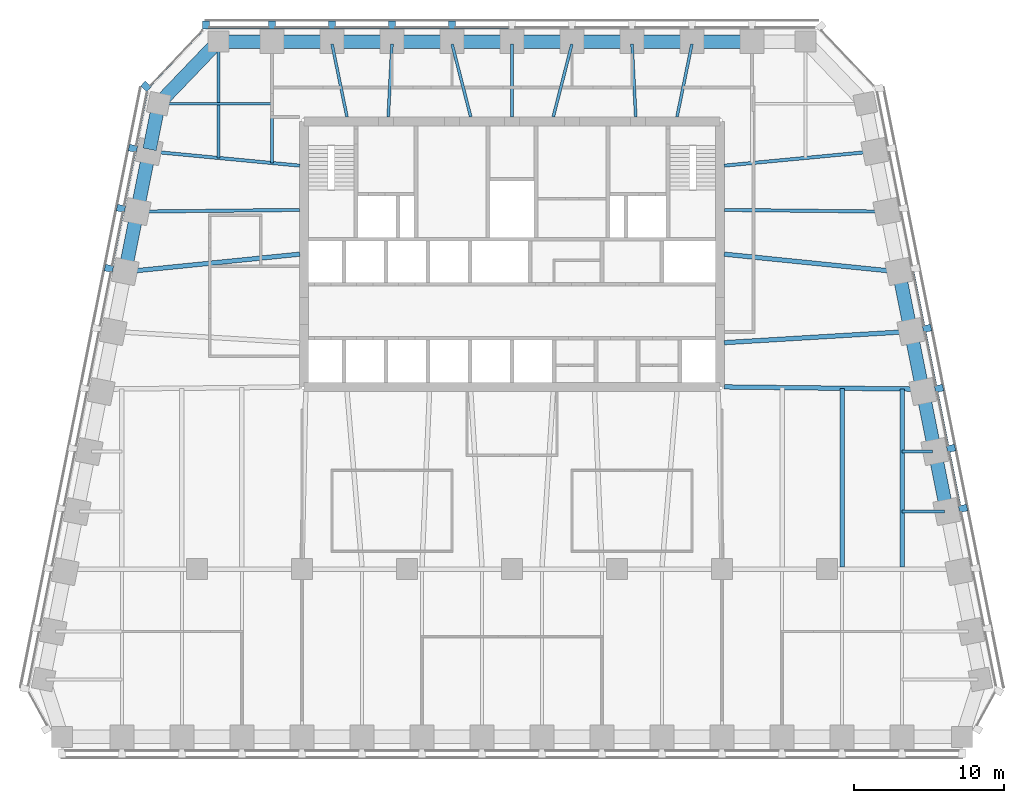
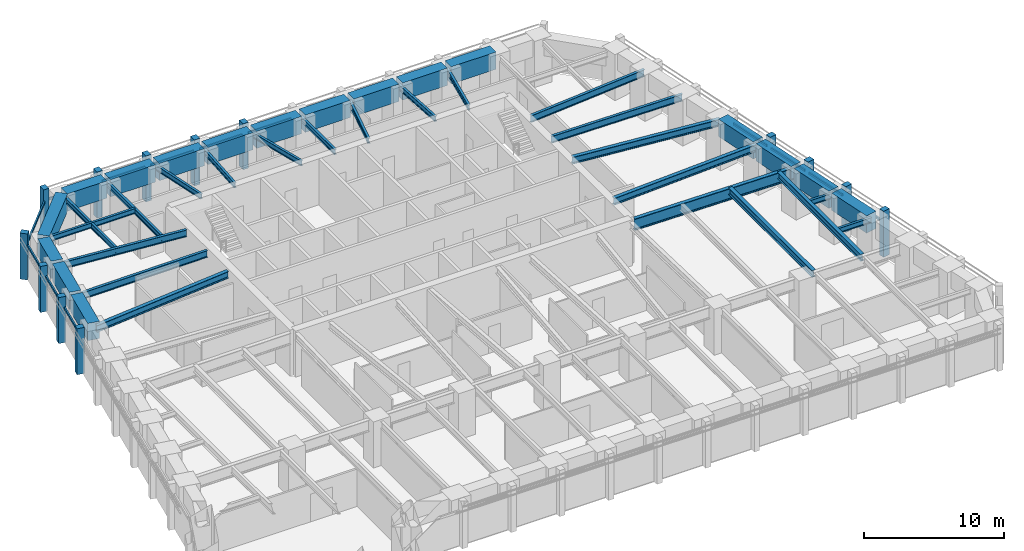
# One storey, part 3 of 10: 39 beams, 26 members, 4 elements without a shape of their own.
"""IFC4 building model written with IfcOpenShell, lengths in metres."""

from ifc_helpers import new_model, si_unit, direction, frame, origin, origin_2d, place, context, subcontext, project, spatial, rectangle, i_section, extrude, material, material_profile, profile_set, type_object, element, aggregate, save


model = new_model("IFC4")

# Units and contexts
model_context = context("Model", 3, precision=1e-05, world=origin(), true_north=direction((0.0, 1.0)))
body_context = subcontext(model_context, "Body", "Model", "MODEL_VIEW")
ifc_project = project(units=[si_unit("LENGTHUNIT", "METRE"), si_unit("AREAUNIT", "SQUARE_METRE"), si_unit("VOLUMEUNIT", "CUBIC_METRE"), si_unit("PLANEANGLEUNIT", "RADIAN"), si_unit("MASSUNIT", "GRAM", prefix="KILO")], contexts=[model_context])

# Site, building, storey
site_placement = place(None, origin())
site = spatial("IfcSite", under=ifc_project, at=site_placement, CompositionType="ELEMENT")
building_placement = place(site_placement, origin())
building = spatial("IfcBuilding", under=site, at=building_placement, Name="Isbrekke Arena Tower", CompositionType="ELEMENT")
storey_placement = place(building_placement, frame((0.0, 0.0, 234.0)))
storey = spatial("IfcBuildingStorey", under=building, at=storey_placement, Name="L54", CompositionType="ELEMENT", Elevation=234.0)

# Beams
ifc_material_1 = material(Name="Steel S355", Category="steel")
ifc_material_profile_1 = material_profile(ifc_material_1, i_section(OverallWidth=0.219970703125, OverallDepth=0.60009765625, WebThickness=0.011962890625, FlangeThickness=0.01904296875, FilletRadius=0.02392578125, at=origin_2d()), Name="IPE 600")
ifc_profile_set_1 = profile_set([ifc_material_profile_1], Name="Steel S355")
beam_type_1 = type_object("IfcBeamType", Name="B1 IPE 600", PredefinedType="BEAM", material=ifc_profile_set_1)
beam_1_placement = place(storey_placement, frame((24.83984375, 17.838134765625, 3.550048828125), z_axis=(-0.999945299061, 0.010459392202, 0.0), x_axis=(-0.010459392202, -0.999945299061, 0.0)))
element("IfcBeam", 1, at=beam_1_placement, inside=storey, type_object=beam_type_1, Name="B1 beam E-E09 L54", PredefinedType="BEAM", context=body_context, shape_type="SweptSolid", body=[
    extrude(i_section(OverallWidth=0.219970703125, OverallDepth=0.60009765625, WebThickness=0.011962890625, FlangeThickness=0.01904296875, FilletRadius=0.02392578125, at=origin_2d()), origin(), (0.0, 0.0, 1.0), 10.6904296875),
])
for number, where, z_axis, x_axis, name in (
    (2, (24.03076171875, 21.837158203125, 3.550048828125), (-0.99553133081, -0.094431823952, 0.0), (0.094431823952, -0.99553133081, 0.0), "B1 beam E-E10 L54"),
    (3, (-24.03076171875, 21.837158203125, 3.550048828125), (0.99553133081, -0.094431823952, 0.0), (0.094431823952, 0.99553133081, 0.0), "B1 beam E-W02 L54"),
):
    element("IfcBeam", number, at=place(storey_placement, frame(where, z_axis=z_axis, x_axis=x_axis)), inside=storey, type_object=beam_type_1, Name=name, PredefinedType="BEAM", context=body_context, shape_type="SweptSolid", body=[
        extrude(i_section(OverallWidth=0.219970703125, OverallDepth=0.60009765625, WebThickness=0.011962890625, FlangeThickness=0.01904296875, FilletRadius=0.02392578125, at=origin_2d()), origin(), (0.0, 0.0, 1.0), 9.92529296875),
    ])
beam_2_placement = place(storey_placement, frame((-24.83984375, 17.838134765625, 3.550048828125), z_axis=(0.999945299061, 0.010459392202, 0.0), x_axis=(-0.010459392202, 0.999945299061, 0.0)))
element("IfcBeam", 4, at=beam_2_placement, inside=storey, type_object=beam_type_1, Name="B1 beam E-W03 L54", PredefinedType="BEAM", context=body_context, shape_type="SweptSolid", body=[
    extrude(i_section(OverallWidth=0.219970703125, OverallDepth=0.60009765625, WebThickness=0.011962890625, FlangeThickness=0.01904296875, FilletRadius=0.02392578125, at=origin_2d()), origin(), (0.0, 0.0, 1.0), 10.6904296875),
])
ifc_material_2 = material(Name="Steel S355", Category="steel")
ifc_material_profile_2 = material_profile(ifc_material_2, i_section(OverallWidth=0.18994140625, OverallDepth=0.449951171875, WebThickness=0.009521484375, FlangeThickness=0.0146484375, FilletRadius=0.02099609375, at=origin_2d()), Name="IPE 450")
ifc_profile_set_2 = profile_set([ifc_material_profile_2], Name="Steel S355")
beam_type_2 = type_object("IfcBeamType", Name="B2 IPE 450", PredefinedType="BEAM", material=ifc_profile_set_2)
beam_3_placement = place(storey_placement, frame((28.841064453125, -2.161865234375, 3.625), z_axis=(-1.0, 0.0, 0.0), x_axis=(0.0, -1.0, 0.0)))
element("IfcBeam", 5, at=beam_3_placement, inside=storey, type_object=beam_type_2, Name="B2 beam E-E04 L54", PredefinedType="BEAM", context=body_context, shape_type="SweptSolid", body=[
    extrude(i_section(OverallWidth=0.18994140625, OverallDepth=0.449951171875, WebThickness=0.009521484375, FlangeThickness=0.0146484375, FilletRadius=0.02099609375, at=origin_2d()), origin(), (0.0, 0.0, 1.0), 2.841064453125),
])
beam_4_placement = place(storey_placement, frame((28.041015625, 1.838134765625, 3.625), z_axis=(-1.0, 0.0, 0.0), x_axis=(0.0, -1.0, 0.0)))
element("IfcBeam", 6, at=beam_4_placement, inside=storey, type_object=beam_type_2, Name="B2 beam E-E05 L54", PredefinedType="BEAM", context=body_context, shape_type="SweptSolid", body=[
    extrude(i_section(OverallWidth=0.18994140625, OverallDepth=0.449951171875, WebThickness=0.009521484375, FlangeThickness=0.0146484375, FilletRadius=0.02099609375, at=origin_2d()), origin(), (0.0, 0.0, 1.0), 2.041015625),
])
beam_5_placement = place(storey_placement, frame((-23.40283203125, 25.029296875, 3.625), z_axis=(1.0, 0.0, 0.0), x_axis=(0.0, 1.0, 0.0)))
element("IfcBeam", 7, at=beam_5_placement, inside=storey, type_object=beam_type_2, Name="B2 beam E-W01 L54", PredefinedType="BEAM", context=body_context, shape_type="SweptSolid", body=[
    extrude(i_section(OverallWidth=0.18994140625, OverallDepth=0.449951171875, WebThickness=0.009521484375, FlangeThickness=0.0146484375, FilletRadius=0.02099609375, at=origin_2d()), origin(), (0.0, 0.0, 1.0), 7.40283203125),
])
ifc_material_3 = material(Name="Steel S355", Category="steel")
ifc_material_profile_3 = material_profile(ifc_material_3, i_section(OverallWidth=0.18994140625, OverallDepth=0.449951171875, WebThickness=0.009521484375, FlangeThickness=0.0146484375, FilletRadius=0.02099609375, at=origin_2d()), Name="IPE 450")
ifc_profile_set_3 = profile_set([ifc_material_profile_3], Name="Steel S355")
beam_type_3 = type_object("IfcBeamType", Name="B3 IPE 450", PredefinedType="BEAM", material=ifc_profile_set_3)
beam_6_placement = place(storey_placement, frame((-16.0, 29.02490234375, 3.625), z_axis=(0.0, -1.0, 0.0), x_axis=(1.0, 0.0, 0.0)))
element("IfcBeam", 8, at=beam_6_placement, inside=storey, type_object=beam_type_3, Name="B3 beam N-N10 L54", PredefinedType="BEAM", context=body_context, shape_type="SweptSolid", body=[
    extrude(i_section(OverallWidth=0.18994140625, OverallDepth=0.449951171875, WebThickness=0.009521484375, FlangeThickness=0.0146484375, FilletRadius=0.02099609375, at=origin_2d()), origin(), (0.0, 0.0, 1.0), 7.949462890625),
])
beam_7_placement = place(storey_placement, frame((-19.574951171875, 29.02490234375, 3.625), z_axis=(0.0, -1.0, 0.0), x_axis=(1.0, 0.0, 0.0)))
element("IfcBeam", 9, at=beam_7_placement, inside=storey, type_object=beam_type_3, Name="B3 beam N-N11 L54", PredefinedType="BEAM", context=body_context, shape_type="SweptSolid", body=[
    extrude(i_section(OverallWidth=0.18994140625, OverallDepth=0.449951171875, WebThickness=0.009521484375, FlangeThickness=0.0146484375, FilletRadius=0.02099609375, at=origin_2d()), origin(), (0.0, 0.0, 1.0), 7.6103515625),
])
beam_8_placement = place(storey_placement, frame((11.99609375, 29.00634765625, 3.625), z_axis=(-0.200924755878, -0.979606677435, 0.0), x_axis=(0.979606677435, -0.200924755878, 0.0)))
element("IfcBeam", 10, at=beam_8_placement, inside=storey, type_object=beam_type_3, Name="B3 beam N-N03 L54", PredefinedType="BEAM", context=body_context, shape_type="SweptSolid", body=[
    extrude(i_section(OverallWidth=0.18994140625, OverallDepth=0.449951171875, WebThickness=0.009521484375, FlangeThickness=0.0146484375, FilletRadius=0.02099609375, at=origin_2d()), origin(), (0.0, 0.0, 1.0), 4.95751953125),
])
beam_9_placement = place(storey_placement, frame((8.000244140625, 29.02001953125, 3.625), z_axis=(0.051216032312, -0.998687597817, 0.0), x_axis=(0.998687597817, 0.051216032312, 0.0)))
element("IfcBeam", 11, at=beam_9_placement, inside=storey, type_object=beam_type_3, Name="B3 beam N-N04 L54", PredefinedType="BEAM", context=body_context, shape_type="SweptSolid", body=[
    extrude(i_section(OverallWidth=0.18994140625, OverallDepth=0.449951171875, WebThickness=0.009521484375, FlangeThickness=0.0146484375, FilletRadius=0.02099609375, at=origin_2d()), origin(), (0.0, 0.0, 1.0), 4.87646484375),
])
beam_10_placement = place(storey_placement, frame((3.994140625, 29.002197265625, 3.625), z_axis=(-0.248368314686, -0.968665670012, 0.0), x_axis=(0.968665670012, -0.248368314686, 0.0)))
element("IfcBeam", 12, at=beam_10_placement, inside=storey, type_object=beam_type_3, Name="B3 beam N-N05 L54", PredefinedType="BEAM", context=body_context, shape_type="SweptSolid", body=[
    extrude(i_section(OverallWidth=0.18994140625, OverallDepth=0.449951171875, WebThickness=0.009521484375, FlangeThickness=0.0146484375, FilletRadius=0.02099609375, at=origin_2d()), origin(), (0.0, 0.0, 1.0), 5.00927734375),
])
beam_11_placement = place(storey_placement, frame((0.0, 29.02490234375, 3.625), z_axis=(0.0, -1.0, 0.0), x_axis=(1.0, 0.0, 0.0)))
element("IfcBeam", 13, at=beam_11_placement, inside=storey, type_object=beam_type_3, Name="B3 beam N-N06 L54", PredefinedType="BEAM", context=body_context, shape_type="SweptSolid", body=[
    extrude(i_section(OverallWidth=0.18994140625, OverallDepth=0.449951171875, WebThickness=0.009521484375, FlangeThickness=0.0146484375, FilletRadius=0.02099609375, at=origin_2d()), origin(), (0.0, 0.0, 1.0), 4.875),
])
beam_12_placement = place(storey_placement, frame((-3.994140625, 29.002197265625, 3.625), z_axis=(0.248368314686, -0.968665670012, 0.0), x_axis=(0.968665670012, 0.248368314686, 0.0)))
element("IfcBeam", 14, at=beam_12_placement, inside=storey, type_object=beam_type_3, Name="B3 beam N-N07 L54", PredefinedType="BEAM", context=body_context, shape_type="SweptSolid", body=[
    extrude(i_section(OverallWidth=0.18994140625, OverallDepth=0.449951171875, WebThickness=0.009521484375, FlangeThickness=0.0146484375, FilletRadius=0.02099609375, at=origin_2d()), origin(), (0.0, 0.0, 1.0), 5.00927734375),
])
beam_13_placement = place(storey_placement, frame((-8.000244140625, 29.02001953125, 3.625), z_axis=(-0.051216032312, -0.998687597817, 0.0), x_axis=(0.998687597817, -0.051216032312, 0.0)))
element("IfcBeam", 15, at=beam_13_placement, inside=storey, type_object=beam_type_3, Name="B3 beam N-N08 L54", PredefinedType="BEAM", context=body_context, shape_type="SweptSolid", body=[
    extrude(i_section(OverallWidth=0.18994140625, OverallDepth=0.449951171875, WebThickness=0.009521484375, FlangeThickness=0.0146484375, FilletRadius=0.02099609375, at=origin_2d()), origin(), (0.0, 0.0, 1.0), 4.87646484375),
])
beam_14_placement = place(storey_placement, frame((-11.99609375, 29.00634765625, 3.625), z_axis=(0.200924755878, -0.979606677435, 0.0), x_axis=(0.979606677435, 0.200924755878, 0.0)))
element("IfcBeam", 16, at=beam_14_placement, inside=storey, type_object=beam_type_3, Name="B3 beam N-N09 L54", PredefinedType="BEAM", context=body_context, shape_type="SweptSolid", body=[
    extrude(i_section(OverallWidth=0.18994140625, OverallDepth=0.449951171875, WebThickness=0.009521484375, FlangeThickness=0.0146484375, FilletRadius=0.02099609375, at=origin_2d()), origin(), (0.0, 0.0, 1.0), 4.95751953125),
])
ifc_material_4 = material(Name="Steel S355", Category="steel")
ifc_material_profile_4 = material_profile(ifc_material_4, i_section(OverallWidth=0.300048828125, OverallDepth=0.60009765625, WebThickness=0.015380859375, FlangeThickness=0.030029296875, FilletRadius=0.027099609375, at=origin_2d()), Name="HEB 600")
ifc_profile_set_4 = profile_set([ifc_material_profile_4], Name="Steel S355")
beam_type_4 = type_object("IfcBeamType", Name="B7 HEB 600", PredefinedType="BEAM", material=ifc_profile_set_4)
beam_15_placement = place(storey_placement, frame((22.0, -5.84912109375, 3.550048828125), z_axis=(0.0, 1.0, 0.0), x_axis=(-1.0, 0.0, 0.0)))
element("IfcBeam", 17, at=beam_15_placement, inside=storey, type_object=beam_type_4, Name="B7 beam C-M13 L54", PredefinedType="BEAM", context=body_context, shape_type="SweptSolid", body=[
    extrude(i_section(OverallWidth=0.300048828125, OverallDepth=0.60009765625, WebThickness=0.015380859375, FlangeThickness=0.030029296875, FilletRadius=0.027099609375, at=origin_2d()), origin(), (0.0, 0.0, 1.0), 11.91015625),
])
beam_16_placement = place(storey_placement, frame((26.0, -5.84912109375, 3.550048828125), z_axis=(0.0, 1.0, 0.0), x_axis=(-1.0, 0.0, 0.0)))
element("IfcBeam", 18, at=beam_16_placement, inside=storey, type_object=beam_type_4, Name="B7 beam C-M14 L54", PredefinedType="BEAM", context=body_context, shape_type="SweptSolid", body=[
    extrude(i_section(OverallWidth=0.300048828125, OverallDepth=0.60009765625, WebThickness=0.015380859375, FlangeThickness=0.030029296875, FilletRadius=0.027099609375, at=origin_2d()), origin(), (0.0, 0.0, 1.0), 11.864990234375),
])
beam_17_placement = place(storey_placement, frame((26.43212890625, 9.837646484375, 3.550048828125), z_axis=(-0.998201854902, -0.059942112659, 0.0), x_axis=(0.059942112659, -0.998201854902, 0.0)))
element("IfcBeam", 19, at=beam_17_placement, inside=storey, type_object=beam_type_4, Name="B7 beam E-E07 L54", PredefinedType="BEAM", context=body_context, shape_type="SweptSolid", body=[
    extrude(i_section(OverallWidth=0.300048828125, OverallDepth=0.60009765625, WebThickness=0.015380859375, FlangeThickness=0.030029296875, FilletRadius=0.027099609375, at=origin_2d()), origin(), (0.0, 0.0, 1.0), 12.304443359375),
])
for number, where, z_axis, x_axis, name in (
    (20, (25.6259765625, 13.83984375, 3.550048828125), (-0.994928891111, 0.100580821396, 0.0), (-0.100580821396, -0.994928891111, 0.0), "B7 beam E-E08 L54"),
    (21, (-25.6259765625, 13.83984375, 3.550048828125), (0.994928891111, 0.100580821396, 0.0), (-0.100580821396, 0.994928891111, 0.0), "B7 beam E-W04 L54"),
):
    element("IfcBeam", number, at=place(storey_placement, frame(where, z_axis=z_axis, x_axis=x_axis)), inside=storey, type_object=beam_type_4, Name=name, PredefinedType="BEAM", context=body_context, shape_type="SweptSolid", body=[
        extrude(i_section(OverallWidth=0.300048828125, OverallDepth=0.60009765625, WebThickness=0.015380859375, FlangeThickness=0.030029296875, FilletRadius=0.027099609375, at=origin_2d()), origin(), (0.0, 0.0, 1.0), 11.53466796875),
    ])

# Curtain wall, members
ifc_material_5 = material(Name="Glazed aluminium curtain wall", Category="aluminium")
curtain_wall_type = type_object("IfcCurtainWallType", Name="CWH TOWER CURTAIN WALL HIGH ZONE", PredefinedType="USERDEFINED", material=ifc_material_5)
curtain_wall_1_placement = place(storey_placement, origin())
curtain_wall_1 = element("IfcCurtainWall", 22, at=curtain_wall_1_placement, inside=storey, type_object=curtain_wall_type, Name="CWH curtain wall L54-E", ObjectType="TOWER CURTAIN WALL HIGH ZONE", PredefinedType="USERDEFINED")
ifc_material_6 = material(Name="Aluminium mullion, pale brick slip cladding", Category="masonry")
ifc_material_profile_5 = material_profile(ifc_material_6, rectangle(XDim=0.449951171875, YDim=0.550048828125, at=origin_2d()), Name="PIER 450X550")
ifc_profile_set_5 = profile_set([ifc_material_profile_5], Name="Aluminium mullion, pale brick slip cladding")
member_type_1 = type_object("IfcMemberType", Name="CWH-M PIER MULLION 450 x 550", PredefinedType="MULLION", material=ifc_profile_set_5)
member_1_placement = place(storey_placement, frame((30.069580078125, -1.946044921875, 0.0), z_axis=(0.0, 0.0, 1.0), x_axis=(-0.196116135138, 0.980580675691, 0.0)))
member_1 = element("IfcMember", 23, at=member_1_placement, type_object=member_type_1, Name="CWH-M mullion 3", PredefinedType="MULLION", context=body_context, shape_type="SweptSolid", body=[
    extrude(rectangle(XDim=0.449951171875, YDim=0.550048828125, at=origin_2d()), origin(), (0.0, 0.0, 1.0), 4.0),
])
member_2_placement = place(storey_placement, frame((29.269775390625, 2.053955078125, 0.0), z_axis=(0.0, 0.0, 1.0), x_axis=(-0.196116135138, 0.980580675691, 0.0)))
member_2 = element("IfcMember", 24, at=member_2_placement, type_object=member_type_1, Name="CWH-M mullion 4", PredefinedType="MULLION", context=body_context, shape_type="SweptSolid", body=[
    extrude(rectangle(XDim=0.449951171875, YDim=0.550048828125, at=origin_2d()), origin(), (0.0, 0.0, 1.0), 4.0),
])
member_3_placement = place(storey_placement, frame((28.4697265625, 6.053955078125, 0.0), z_axis=(0.0, 0.0, 1.0), x_axis=(-0.196116135138, 0.980580675691, 0.0)))
member_3 = element("IfcMember", 25, at=member_3_placement, type_object=member_type_1, Name="CWH-M mullion 5", PredefinedType="MULLION", context=body_context, shape_type="SweptSolid", body=[
    extrude(rectangle(XDim=0.449951171875, YDim=0.550048828125, at=origin_2d()), origin(), (0.0, 0.0, 1.0), 4.0),
])
member_4_placement = place(storey_placement, frame((27.669677734375, 10.053955078125, 0.0), z_axis=(0.0, 0.0, 1.0), x_axis=(-0.196116135138, 0.980580675691, 0.0)))
member_4 = element("IfcMember", 26, at=member_4_placement, type_object=member_type_1, Name="CWH-M mullion 6", PredefinedType="MULLION", context=body_context, shape_type="SweptSolid", body=[
    extrude(rectangle(XDim=0.449951171875, YDim=0.550048828125, at=origin_2d()), origin(), (0.0, 0.0, 1.0), 4.0),
])

curtain_wall_2_placement = place(storey_placement, origin())
curtain_wall_2 = element("IfcCurtainWall", 27, at=curtain_wall_2_placement, inside=storey, type_object=curtain_wall_type, Name="CWH curtain wall L54-N", ObjectType="TOWER CURTAIN WALL HIGH ZONE", PredefinedType="USERDEFINED")
member_5_placement = place(storey_placement, frame((-4.0, 30.27490234375, 0.0), z_axis=(0.0, 0.0, 1.0), x_axis=(-1.0, 0.0, 0.0)))
member_5 = element("IfcMember", 28, at=member_5_placement, type_object=member_type_1, Name="CWH-M mullion 6", PredefinedType="MULLION", context=body_context, shape_type="SweptSolid", body=[
    extrude(rectangle(XDim=0.449951171875, YDim=0.550048828125, at=origin_2d()), origin(), (0.0, 0.0, 1.0), 4.0),
])
member_6_placement = place(storey_placement, frame((-8.0, 30.27490234375, 0.0), z_axis=(0.0, 0.0, 1.0), x_axis=(-1.0, 0.0, 0.0)))
member_6 = element("IfcMember", 29, at=member_6_placement, type_object=member_type_1, Name="CWH-M mullion 7", PredefinedType="MULLION", context=body_context, shape_type="SweptSolid", body=[
    extrude(rectangle(XDim=0.449951171875, YDim=0.550048828125, at=origin_2d()), origin(), (0.0, 0.0, 1.0), 4.0),
])
member_7_placement = place(storey_placement, frame((-12.0, 30.27490234375, 0.0), z_axis=(0.0, 0.0, 1.0), x_axis=(-1.0, 0.0, 0.0)))
member_7 = element("IfcMember", 30, at=member_7_placement, type_object=member_type_1, Name="CWH-M mullion 8", PredefinedType="MULLION", context=body_context, shape_type="SweptSolid", body=[
    extrude(rectangle(XDim=0.449951171875, YDim=0.550048828125, at=origin_2d()), origin(), (0.0, 0.0, 1.0), 4.0),
])
member_8_placement = place(storey_placement, frame((-16.0, 30.27490234375, 0.0), z_axis=(0.0, 0.0, 1.0), x_axis=(-1.0, 0.0, 0.0)))
member_8 = element("IfcMember", 31, at=member_8_placement, type_object=member_type_1, Name="CWH-M mullion 9", PredefinedType="MULLION", context=body_context, shape_type="SweptSolid", body=[
    extrude(rectangle(XDim=0.449951171875, YDim=0.550048828125, at=origin_2d()), origin(), (0.0, 0.0, 1.0), 4.0),
])
member_9_placement = place(storey_placement, frame((-20.39990234375, 30.27490234375, 0.0), z_axis=(0.0, 0.0, 1.0), x_axis=(-1.0, 0.0, 0.0)))
member_9 = element("IfcMember", 32, at=member_9_placement, type_object=member_type_1, Name="CWH-M mullion 10", PredefinedType="MULLION", context=body_context, shape_type="SweptSolid", body=[
    extrude(rectangle(XDim=0.449951171875, YDim=0.550048828125, at=origin_2d()), origin(), (0.0, 0.0, 1.0), 4.0),
])

# Curtain wall, member
curtain_wall_3_placement = place(storey_placement, origin())
curtain_wall_3 = element("IfcCurtainWall", 33, at=curtain_wall_3_placement, inside=storey, type_object=curtain_wall_type, Name="CWH curtain wall L54-NW", ObjectType="TOWER CURTAIN WALL HIGH ZONE", PredefinedType="USERDEFINED")
member_10_placement = place(storey_placement, frame((-24.3994140625, 26.189453125, 0.0), z_axis=(0.0, 0.0, 1.0), x_axis=(-0.68874946192, -0.72499943359, 0.0)))
member_10 = element("IfcMember", 34, at=member_10_placement, type_object=member_type_1, Name="CWH-M mullion 1", PredefinedType="MULLION", context=body_context, shape_type="SweptSolid", body=[
    extrude(rectangle(XDim=0.449951171875, YDim=0.550048828125, at=origin_2d()), origin(), (0.0, 0.0, 1.0), 4.0),
])

# Curtain wall, members
curtain_wall_4_placement = place(storey_placement, origin())
curtain_wall_4 = element("IfcCurtainWall", 35, at=curtain_wall_4_placement, inside=storey, type_object=curtain_wall_type, Name="CWH curtain wall L54-W", ObjectType="TOWER CURTAIN WALL HIGH ZONE", PredefinedType="USERDEFINED")
member_11_placement = place(storey_placement, frame((-25.269775390625, 22.053955078125, 0.0), z_axis=(0.0, 0.0, 1.0), x_axis=(-0.196116135138, -0.980580675691, 0.0)))
member_11 = element("IfcMember", 36, at=member_11_placement, type_object=member_type_1, Name="CWH-M mullion 1", PredefinedType="MULLION", context=body_context, shape_type="SweptSolid", body=[
    extrude(rectangle(XDim=0.449951171875, YDim=0.550048828125, at=origin_2d()), origin(), (0.0, 0.0, 1.0), 4.0),
])
member_12_placement = place(storey_placement, frame((-26.069580078125, 18.053955078125, 0.0), z_axis=(0.0, 0.0, 1.0), x_axis=(-0.196116135138, -0.980580675691, 0.0)))
member_12 = element("IfcMember", 37, at=member_12_placement, type_object=member_type_1, Name="CWH-M mullion 2", PredefinedType="MULLION", context=body_context, shape_type="SweptSolid", body=[
    extrude(rectangle(XDim=0.449951171875, YDim=0.550048828125, at=origin_2d()), origin(), (0.0, 0.0, 1.0), 4.0),
])
member_13_placement = place(storey_placement, frame((-26.86962890625, 14.053955078125, 0.0), z_axis=(0.0, 0.0, 1.0), x_axis=(-0.196116135138, -0.980580675691, 0.0)))
member_13 = element("IfcMember", 38, at=member_13_placement, type_object=member_type_1, Name="CWH-M mullion 3", PredefinedType="MULLION", context=body_context, shape_type="SweptSolid", body=[
    extrude(rectangle(XDim=0.449951171875, YDim=0.550048828125, at=origin_2d()), origin(), (0.0, 0.0, 1.0), 4.0),
])

# Member
ifc_material_7 = material(Name="Aluminium transom", Category="aluminium")
ifc_material_profile_6 = material_profile(ifc_material_7, rectangle(XDim=0.1201171875, YDim=0.199951171875, at=origin_2d()), Name="TRANSOM 120X200")
ifc_profile_set_6 = profile_set([ifc_material_profile_6], Name="Aluminium transom")
member_type_2 = type_object("IfcMemberType", Name="CWH-T TRANSOM 120 x 200", PredefinedType="USERDEFINED", material=ifc_profile_set_6)
member_14_placement = place(storey_placement, frame((29.85400390625, -1.759765625, 3.0), z_axis=(-0.196154943734, 0.980572913173, 0.0), x_axis=(-0.980572913173, -0.196154943734, 0.0)))
member_14 = element("IfcMember", 39, at=member_14_placement, type_object=member_type_2, Name="CWH-T transom 4", ObjectType="TRANSOM", PredefinedType="USERDEFINED", context=body_context, shape_type="SweptSolid", body=[
    extrude(rectangle(XDim=0.1201171875, YDim=0.199951171875, at=origin_2d()), origin(), (0.0, 0.0, 1.0), 3.62939453125),
])

member_15_placement = place(storey_placement, frame((29.053955078125, 2.240234375, 3.0), z_axis=(-0.196090262229, 0.980585849918, 0.0), x_axis=(-0.980585849918, -0.196090262229, 0.0)))
member_15 = element("IfcMember", 40, at=member_15_placement, type_object=member_type_2, Name="CWH-T transom 5", ObjectType="TRANSOM", PredefinedType="USERDEFINED", context=body_context, shape_type="SweptSolid", body=[
    extrude(rectangle(XDim=0.1201171875, YDim=0.199951171875, at=origin_2d()), origin(), (0.0, 0.0, 1.0), 3.62939453125),
])

member_16_placement = place(storey_placement, frame((28.25390625, 6.240234375, 3.0), z_axis=(-0.196090262229, 0.980585849918, 0.0), x_axis=(-0.980585849918, -0.196090262229, 0.0)))
member_16 = element("IfcMember", 41, at=member_16_placement, type_object=member_type_2, Name="CWH-T transom 6", ObjectType="TRANSOM", PredefinedType="USERDEFINED", context=body_context, shape_type="SweptSolid", body=[
    extrude(rectangle(XDim=0.1201171875, YDim=0.199951171875, at=origin_2d()), origin(), (0.0, 0.0, 1.0), 3.62939453125),
])

member_17_placement = place(storey_placement, frame((27.453857421875, 10.240234375, 3.0), z_axis=(-0.196090262229, 0.980585849918, 0.0), x_axis=(-0.980585849918, -0.196090262229, 0.0)))
member_17 = element("IfcMember", 42, at=member_17_placement, type_object=member_type_2, Name="CWH-T transom 7", ObjectType="TRANSOM", PredefinedType="USERDEFINED", context=body_context, shape_type="SweptSolid", body=[
    extrude(rectangle(XDim=0.1201171875, YDim=0.199951171875, at=origin_2d()), origin(), (0.0, 0.0, 1.0), 3.62939453125),
])

aggregate(curtain_wall_1, [member_1, member_2, member_3, member_4, member_14, member_15, member_16, member_17])

member_18_placement = place(storey_placement, frame((-0.22509765625, 30.10009765625, 3.0), z_axis=(-1.0, 0.0, 0.0), x_axis=(0.0, -1.0, 0.0)))
member_18 = element("IfcMember", 43, at=member_18_placement, type_object=member_type_2, Name="CWH-T transom 6", ObjectType="TRANSOM", PredefinedType="USERDEFINED", context=body_context, shape_type="SweptSolid", body=[
    extrude(rectangle(XDim=0.1201171875, YDim=0.199951171875, at=origin_2d()), origin(), (0.0, 0.0, 1.0), 3.5498046875),
])

member_19_placement = place(storey_placement, frame((-4.22509765625, 30.10009765625, 3.0), z_axis=(-1.0, 0.0, 0.0), x_axis=(0.0, -1.0, 0.0)))
member_19 = element("IfcMember", 44, at=member_19_placement, type_object=member_type_2, Name="CWH-T transom 7", ObjectType="TRANSOM", PredefinedType="USERDEFINED", context=body_context, shape_type="SweptSolid", body=[
    extrude(rectangle(XDim=0.1201171875, YDim=0.199951171875, at=origin_2d()), origin(), (0.0, 0.0, 1.0), 3.5498046875),
])

member_20_placement = place(storey_placement, frame((-8.22509765625, 30.10009765625, 3.0), z_axis=(-1.0, 0.0, 0.0), x_axis=(0.0, -1.0, 0.0)))
member_20 = element("IfcMember", 45, at=member_20_placement, type_object=member_type_2, Name="CWH-T transom 8", ObjectType="TRANSOM", PredefinedType="USERDEFINED", context=body_context, shape_type="SweptSolid", body=[
    extrude(rectangle(XDim=0.1201171875, YDim=0.199951171875, at=origin_2d()), origin(), (0.0, 0.0, 1.0), 3.5498046875),
])

member_21_placement = place(storey_placement, frame((-12.22509765625, 30.10009765625, 3.0), z_axis=(-1.0, 0.0, 0.0), x_axis=(0.0, -1.0, 0.0)))
member_21 = element("IfcMember", 46, at=member_21_placement, type_object=member_type_2, Name="CWH-T transom 9", ObjectType="TRANSOM", PredefinedType="USERDEFINED", context=body_context, shape_type="SweptSolid", body=[
    extrude(rectangle(XDim=0.1201171875, YDim=0.199951171875, at=origin_2d()), origin(), (0.0, 0.0, 1.0), 3.5498046875),
])

member_22_placement = place(storey_placement, frame((-16.22509765625, 30.10009765625, 3.0), z_axis=(-1.0, 0.0, 0.0), x_axis=(0.0, -1.0, 0.0)))
member_22 = element("IfcMember", 47, at=member_22_placement, type_object=member_type_2, Name="CWH-T transom 10", ObjectType="TRANSOM", PredefinedType="USERDEFINED", context=body_context, shape_type="SweptSolid", body=[
    extrude(rectangle(XDim=0.1201171875, YDim=0.199951171875, at=origin_2d()), origin(), (0.0, 0.0, 1.0), 3.949951171875),
])

aggregate(curtain_wall_2, [member_5, member_6, member_7, member_8, member_9, member_18, member_19, member_20, member_21, member_22])

member_23_placement = place(storey_placement, frame((-20.62744140625, 29.90576171875, 3.0), z_axis=(-0.688734266994, -0.725013868466, 0.0), x_axis=(0.725013868466, -0.688734266994, 0.0)))
member_23 = element("IfcMember", 48, at=member_23_placement, type_object=member_type_2, Name="CWH-T transom 1", ObjectType="TRANSOM", PredefinedType="USERDEFINED", context=body_context, shape_type="SweptSolid", body=[
    extrude(rectangle(XDim=0.1201171875, YDim=0.199951171875, at=origin_2d()), origin(), (0.0, 0.0, 1.0), 5.067138671875),
])

aggregate(curtain_wall_3, [member_10, member_23])

member_24_placement = place(storey_placement, frame((-24.34228515625, 25.799072265625, 3.0), z_axis=(-0.196090262229, -0.980585849918, 0.0), x_axis=(0.980585849918, -0.196090262229, 0.0)))
member_24 = element("IfcMember", 49, at=member_24_placement, type_object=member_type_2, Name="CWH-T transom 1", ObjectType="TRANSOM", PredefinedType="USERDEFINED", context=body_context, shape_type="SweptSolid", body=[
    extrude(rectangle(XDim=0.1201171875, YDim=0.199951171875, at=origin_2d()), origin(), (0.0, 0.0, 1.0), 3.62939453125),
])

member_25_placement = place(storey_placement, frame((-25.14208984375, 21.799072265625, 3.0), z_axis=(-0.196154943734, -0.980572913173, 0.0), x_axis=(0.980572913173, -0.196154943734, 0.0)))
member_25 = element("IfcMember", 50, at=member_25_placement, type_object=member_type_2, Name="CWH-T transom 2", ObjectType="TRANSOM", PredefinedType="USERDEFINED", context=body_context, shape_type="SweptSolid", body=[
    extrude(rectangle(XDim=0.1201171875, YDim=0.199951171875, at=origin_2d()), origin(), (0.0, 0.0, 1.0), 3.62939453125),
])

member_26_placement = place(storey_placement, frame((-25.942138671875, 17.799072265625, 3.0), z_axis=(-0.196154943734, -0.980572913173, 0.0), x_axis=(0.980572913173, -0.196154943734, 0.0)))
member_26 = element("IfcMember", 51, at=member_26_placement, type_object=member_type_2, Name="CWH-T transom 3", ObjectType="TRANSOM", PredefinedType="USERDEFINED", context=body_context, shape_type="SweptSolid", body=[
    extrude(rectangle(XDim=0.1201171875, YDim=0.199951171875, at=origin_2d()), origin(), (0.0, 0.0, 1.0), 3.62939453125),
])

aggregate(curtain_wall_4, [member_11, member_12, member_13, member_24, member_25, member_26])

# Beams
ifc_material_8 = material(Name="Steel S355", Category="steel")
ifc_material_profile_7 = material_profile(ifc_material_8, i_section(OverallWidth=0.302001953125, OverallDepth=1.008056640625, WebThickness=0.02099609375, FlangeThickness=0.0400390625, FilletRadius=0.030029296875, at=origin_2d()), Name="HEM 1000")
ifc_profile_set_7 = profile_set([ifc_material_profile_7], Name="Steel S355")
beam_type_5 = type_object("IfcBeamType", Name="G2 HEM 1000", PredefinedType="BEAM", material=ifc_profile_set_7)
beam_18_placement = place(storey_placement, frame((14.14990234375, 6.14990234375, 3.345947265625), z_axis=(0.999935908299, -0.011321629528, 0.0), x_axis=(0.011321629528, 0.999935908299, 0.0)))
element("IfcBeam", 52, at=beam_18_placement, inside=storey, type_object=beam_type_5, Name="G2 beam G2-E L54", PredefinedType="BEAM", context=body_context, shape_type="SweptSolid", body=[
    extrude(i_section(OverallWidth=0.302001953125, OverallDepth=1.008056640625, WebThickness=0.02099609375, FlangeThickness=0.0400390625, FilletRadius=0.030029296875, at=origin_2d()), origin(), (0.0, 0.0, 1.0), 13.240234375),
])
ifc_material_9 = material(Name="Concrete B65 (C65/80)", Category="concrete")
ifc_material_profile_8 = material_profile(ifc_material_9, rectangle(XDim=0.89990234375, YDim=1.5, at=origin_2d()), Name="RC 900x1500")
ifc_profile_set_8 = profile_set([ifc_material_profile_8], Name="Concrete B65 (C65/80)")
beam_type_6 = type_object("IfcBeamType", Name="SB3 RC 900 x 1500", PredefinedType="SPANDREL", material=ifc_profile_set_8)
for number, where, z_axis, x_axis, name in (
    (53, (28.961669921875, -2.0146484375, 3.25), (-0.196128558387, 0.980578190959, 0.0), (-0.980578190959, -0.196128558387, 0.0), "SB3 spandrel E04-E05 L54"),
    (54, (28.16162109375, 1.9853515625, 3.25), (-0.196128558387, 0.980578190959, 0.0), (-0.980578190959, -0.196128558387, 0.0), "SB3 spandrel E05-E06 L54"),
    (55, (27.361572265625, 5.9853515625, 3.25), (-0.196128558387, 0.980578190959, 0.0), (-0.980578190959, -0.196128558387, 0.0), "SB3 spandrel E06-E07 L54"),
):
    element("IfcBeam", number, at=place(storey_placement, frame(where, z_axis=z_axis, x_axis=x_axis)), inside=storey, type_object=beam_type_6, Name=name, PredefinedType="SPANDREL", context=body_context, shape_type="SweptSolid", body=[
        extrude(rectangle(XDim=0.89990234375, YDim=1.5, at=origin_2d()), origin(), (0.0, 0.0, 1.0), 3.779296875),
    ])
beam_19_placement = place(storey_placement, frame((26.5615234375, 9.9853515625, 3.25), z_axis=(-0.1960664412, 0.980590613169, 0.0), x_axis=(-0.980590613169, -0.1960664412, 0.0)))
element("IfcBeam", 56, at=beam_19_placement, inside=storey, type_object=beam_type_6, Name="SB3 spandrel E07-E08 L54", PredefinedType="SPANDREL", context=body_context, shape_type="SweptSolid", body=[
    extrude(rectangle(XDim=0.89990234375, YDim=1.5, at=origin_2d()), origin(), (0.0, 0.0, 1.0), 3.779052734375),
])
for number, where, z_axis, x_axis, name in (
    (57, (15.85009765625, 29.175048828125, 3.25), (-1.0, 0.0, 0.0), (0.0, -1.0, 0.0), "SB3 spandrel N02-N03 L54"),
    (58, (11.85009765625, 29.175048828125, 3.25), (-1.0, 0.0, 0.0), (0.0, -1.0, 0.0), "SB3 spandrel N03-N04 L54"),
    (59, (7.85009765625, 29.175048828125, 3.25), (-1.0, 0.0, 0.0), (0.0, -1.0, 0.0), "SB3 spandrel N04-N05 L54"),
    (60, (3.85009765625, 29.175048828125, 3.25), (-1.0, 0.0, 0.0), (0.0, -1.0, 0.0), "SB3 spandrel N05-N06 L54"),
    (61, (-0.14990234375, 29.175048828125, 3.25), (-1.0, 0.0, 0.0), (0.0, -1.0, 0.0), "SB3 spandrel N06-N07 L54"),
    (62, (-4.14990234375, 29.175048828125, 3.25), (-1.0, 0.0, 0.0), (0.0, -1.0, 0.0), "SB3 spandrel N07-N08 L54"),
    (63, (-8.14990234375, 29.175048828125, 3.25), (-1.0, 0.0, 0.0), (0.0, -1.0, 0.0), "SB3 spandrel N08-N09 L54"),
    (64, (-12.14990234375, 29.175048828125, 3.25), (-1.0, 0.0, 0.0), (0.0, -1.0, 0.0), "SB3 spandrel N09-N10 L54"),
):
    element("IfcBeam", number, at=place(storey_placement, frame(where, z_axis=z_axis, x_axis=x_axis)), inside=storey, type_object=beam_type_6, Name=name, PredefinedType="SPANDREL", context=body_context, shape_type="SweptSolid", body=[
        extrude(rectangle(XDim=0.89990234375, YDim=1.5, at=origin_2d()), origin(), (0.0, 0.0, 1.0), 3.7001953125),
    ])
beam_20_placement = place(storey_placement, frame((-16.14990234375, 29.175048828125, 3.25), z_axis=(-1.0, 0.0, 0.0), x_axis=(0.0, -1.0, 0.0)))
element("IfcBeam", 65, at=beam_20_placement, inside=storey, type_object=beam_type_6, Name="SB3 spandrel N10-N11 L54", PredefinedType="SPANDREL", context=body_context, shape_type="SweptSolid", body=[
    extrude(rectangle(XDim=0.89990234375, YDim=1.5, at=origin_2d()), origin(), (0.0, 0.0, 1.0), 3.275146484375),
])
beam_21_placement = place(storey_placement, frame((-19.678955078125, 29.066650390625, 3.25), z_axis=(-0.692339547635, -0.721571861134, 0.0), x_axis=(0.721571861134, -0.692339547635, 0.0)))
element("IfcBeam", 66, at=beam_21_placement, inside=storey, type_object=beam_type_6, Name="SB3 spandrel N11-W01 L54", PredefinedType="SPANDREL", context=body_context, shape_type="SweptSolid", body=[
    extrude(rectangle(XDim=0.89990234375, YDim=1.5, at=origin_2d()), origin(), (0.0, 0.0, 1.0), 5.4453125),
])
beam_22_placement = place(storey_placement, frame((-23.582275390625, 24.882080078125, 3.25), z_axis=(-0.196116135138, -0.980580675691, 0.0), x_axis=(0.980580675691, -0.196116135138, 0.0)))
element("IfcBeam", 67, at=beam_22_placement, inside=storey, type_object=beam_type_6, Name="SB3 spandrel W01-W02 L54", PredefinedType="SPANDREL", context=body_context, shape_type="SweptSolid", body=[
    extrude(rectangle(XDim=0.89990234375, YDim=1.5, at=origin_2d()), origin(), (0.0, 0.0, 1.0), 2.9541015625),
])
for number, where, z_axis, x_axis, name in (
    (68, (-24.220458984375, 21.691162109375, 3.25), (-0.196128558387, -0.980578190959, 0.0), (0.980578190959, -0.196128558387, 0.0), "SB3 spandrel W02-W03 L54"),
    (69, (-25.0205078125, 17.691162109375, 3.25), (-0.196128558387, -0.980578190959, 0.0), (0.980578190959, -0.196128558387, 0.0), "SB3 spandrel W03-W04 L54"),
):
    element("IfcBeam", number, at=place(storey_placement, frame(where, z_axis=z_axis, x_axis=x_axis)), inside=storey, type_object=beam_type_6, Name=name, PredefinedType="SPANDREL", context=body_context, shape_type="SweptSolid", body=[
        extrude(rectangle(XDim=0.89990234375, YDim=1.5, at=origin_2d()), origin(), (0.0, 0.0, 1.0), 3.779296875),
    ])

save(model, "model.ifc")
